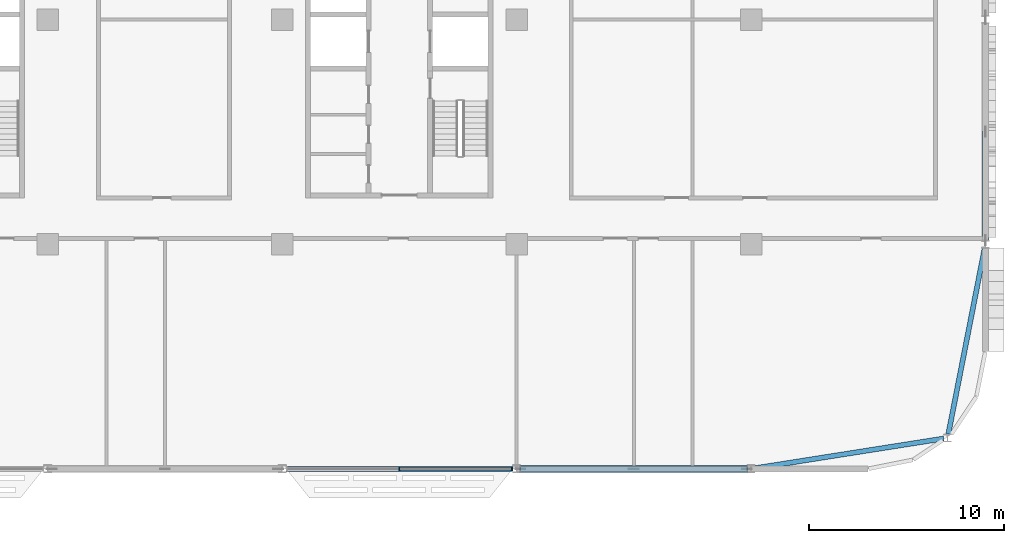
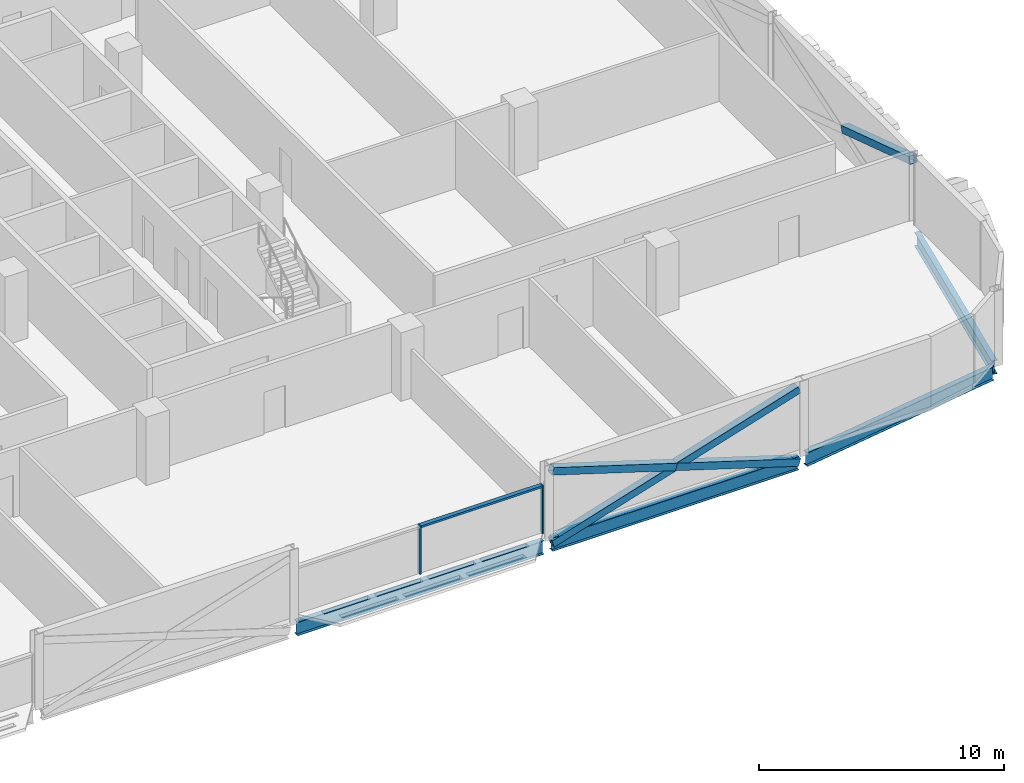
# One storey, part 9 of 30: 7 members, 4 beams, 1 element without a shape of its own.
"""IFC4 building model written with IfcOpenShell, lengths in metres."""

from ifc_helpers import new_model, si_unit, direction, frame, origin, origin_2d, place, context, subcontext, project, spatial, rectangle, hollow_rectangle, i_section, extrude, material, material_profile, profile_set, type_object, element, aggregate, save


model = new_model("IFC4")

# Units and contexts
model_context = context("Model", 3, precision=1e-05, world=origin(), true_north=direction((0.0, 1.0)))
body_context = subcontext(model_context, "Body", "Model", "MODEL_VIEW")
ifc_project = project(units=[si_unit("LENGTHUNIT", "METRE"), si_unit("AREAUNIT", "SQUARE_METRE"), si_unit("VOLUMEUNIT", "CUBIC_METRE"), si_unit("PLANEANGLEUNIT", "RADIAN"), si_unit("MASSUNIT", "GRAM", prefix="KILO")], contexts=[model_context])

# Site, building, storey
site_placement = place(None, origin())
site = spatial("IfcSite", under=ifc_project, at=site_placement, CompositionType="ELEMENT")
building_placement = place(site_placement, origin())
building = spatial("IfcBuilding", under=site, at=building_placement, Name="Mahtab Terrace Research Tower", CompositionType="ELEMENT")
storey_placement = place(building_placement, frame((0.0, 0.0, 220.5)))
storey = spatial("IfcBuildingStorey", under=building, at=storey_placement, Name="L53", CompositionType="ELEMENT", Elevation=220.5)

# Members
ifc_material_1 = material(Name="Steel ASTM A500 Gr C", Category="steel")
ifc_material_profile_1 = material_profile(ifc_material_1, hollow_rectangle(XDim=0.355712890625, YDim=0.355712890625, WallThickness=0.015869140625, at=origin_2d()), Name="HSS14X14X5/8")
ifc_profile_set_1 = profile_set([ifc_material_profile_1], Name="Steel ASTM A500 Gr C")
member_type_1 = type_object("IfcMemberType", Name="HSS 14x14x5/8 brace XB141458", PredefinedType="BRACE", material=ifc_profile_set_1)
member_1_placement = place(storey_placement, frame((30.20068359375, -23.0, -0.616455078125), z_axis=(0.954709972543, 0.0, 0.297538011566), x_axis=(0.0, 1.0, 0.0)))
element("IfcMember", 1, at=member_1_placement, inside=storey, type_object=member_type_1, Name="Exoskeleton brace L53 19 a", PredefinedType="BRACE", context=body_context, shape_type="SweptSolid", body=[
    extrude(hollow_rectangle(XDim=0.355712890625, YDim=0.355712890625, WallThickness=0.015869140625, at=origin_2d()), origin(), (0.0, 0.0, 1.0), 12.14892578125),
])
for number, where, z_axis, x_axis, name in (
    (2, (41.79931640625, -23.0, -0.616455078125), (-0.954709972543, 0.0, 0.297538011566), (0.0, -1.0, 0.0), "Exoskeleton brace L53 19 b1"),
    (3, (36.0, -23.0, 1.19091796875), (-0.954709972543, 0.0, 0.297538011566), (0.0, -1.0, 0.0), "Exoskeleton brace L53 19 b2"),
):
    element("IfcMember", number, at=place(storey_placement, frame(where, z_axis=z_axis, x_axis=x_axis)), inside=storey, type_object=member_type_1, Name=name, PredefinedType="BRACE", context=body_context, shape_type="SweptSolid", body=[
        extrude(hollow_rectangle(XDim=0.355712890625, YDim=0.355712890625, WallThickness=0.015869140625, at=origin_2d()), origin(), (0.0, 0.0, 1.0), 6.074462890625),
    ])
member_2_placement = place(storey_placement, frame((54.0, -5.75, 1.19091796875), z_axis=(0.0, -0.95097103429, 0.309279957226), x_axis=(1.0, 0.0, 0.0)))
element("IfcMember", 4, at=member_2_placement, inside=storey, type_object=member_type_1, Name="Exoskeleton brace L53 22 b2", PredefinedType="BRACE", context=body_context, shape_type="SweptSolid", body=[
    extrude(hollow_rectangle(XDim=0.355712890625, YDim=0.355712890625, WallThickness=0.015869140625, at=origin_2d()), origin(), (0.0, 0.0, 1.0), 5.836669921875),
])

# Curtain wall, members
ifc_material_2 = material(Name="Laboratory ribbon curtain wall")
curtain_wall_type = type_object("IfcCurtainWallType", Name="Laboratory ribbon curtain wall", PredefinedType="NOTDEFINED", material=ifc_material_2)
curtain_wall_placement = place(storey_placement, origin())
curtain_wall = element("IfcCurtainWall", 5, at=curtain_wall_placement, inside=storey, type_object=curtain_wall_type, Name="EN.L53.13.28", PredefinedType="NOTDEFINED")
ifc_material_3 = material(Name="Natural anodised aluminium", Category="aluminium")
ifc_material_profile_2 = material_profile(ifc_material_3, rectangle(XDim=0.199951171875, YDim=0.06494140625, at=origin_2d()), Name="MULLION 65x200")
ifc_profile_set_2 = profile_set([ifc_material_profile_2], Name="Natural anodised aluminium")
member_type_2 = type_object("IfcMemberType", Name="Laboratory ribbon curtain wall mullion", PredefinedType="MULLION", material=ifc_profile_set_2)
member_3_placement = place(storey_placement, frame((24.0, -23.0, 0.0), z_axis=(0.0, 0.0, 1.0), x_axis=(0.0, 1.0, 0.0)))
member_3 = element("IfcMember", 6, at=member_3_placement, type_object=member_type_2, Name="CWL-6 mullion 2", PredefinedType="MULLION", context=body_context, shape_type="SweptSolid", body=[
    extrude(rectangle(XDim=0.199951171875, YDim=0.06494140625, at=origin_2d()), origin(), (0.0, 0.0, 1.0), 2.401123046875),
])
member_4_placement = place(storey_placement, frame((29.767578125, -23.0, 0.0), z_axis=(0.0, 0.0, 1.0), x_axis=(0.0, 1.0, 0.0)))
member_4 = element("IfcMember", 7, at=member_4_placement, type_object=member_type_2, Name="CWL-6 mullion 3", PredefinedType="MULLION", context=body_context, shape_type="SweptSolid", body=[
    extrude(rectangle(XDim=0.199951171875, YDim=0.06494140625, at=origin_2d()), origin(), (0.0, 0.0, 1.0), 2.401123046875),
])
ifc_material_profile_3 = material_profile(ifc_material_3, rectangle(XDim=0.199951171875, YDim=0.10009765625, at=origin_2d()), Name="TRANSOM 100x200")
ifc_profile_set_3 = profile_set([ifc_material_profile_3], Name="Natural anodised aluminium")
member_type_3 = type_object("IfcMemberType", Name="Laboratory ribbon curtain wall transom", PredefinedType="USERDEFINED", material=ifc_profile_set_3)
member_5_placement = place(storey_placement, frame((24.032470703125, -23.0, 2.351318359375), z_axis=(1.0, 0.0, 0.0), x_axis=(0.0, 1.0, 0.0)))
member_5 = element("IfcMember", 8, at=member_5_placement, type_object=member_type_3, Name="CWL-6 transom 2", ObjectType="TRANSOM", PredefinedType="USERDEFINED", context=body_context, shape_type="SweptSolid", body=[
    extrude(rectangle(XDim=0.199951171875, YDim=0.10009765625, at=origin_2d()), origin(), (0.0, 0.0, 1.0), 5.70263671875),
])
aggregate(curtain_wall, [member_3, member_4, member_5])

# Beams
ifc_material_4 = material(Name="Steel ASTM A992 Gr 50", Category="steel")
ifc_material_profile_4 = material_profile(ifc_material_4, i_section(OverallWidth=0.25390625, OverallDepth=0.67822265625, WebThickness=0.01171875, FlangeThickness=0.016357421875, at=origin_2d()), Name="W27X84")
ifc_profile_set_4 = profile_set([ifc_material_profile_4], Name="Steel ASTM A992 Gr 50")
beam_type = type_object("IfcBeamType", Name="W27x84 beam BS2784", PredefinedType="BEAM", material=ifc_profile_set_4)
for number, where, z_axis, x_axis, name in (
    (9, (18.20068359375, -23.0, -0.67919921875), (1.0, 0.0, 0.0), (0.0, 1.0, 0.0), "Spandrel beam L53 18"),
    (10, (30.20068359375, -23.0, -0.67919921875), (1.0, 0.0, 0.0), (0.0, 1.0, 0.0), "Spandrel beam L53 19"),
):
    element("IfcBeam", number, at=place(storey_placement, frame(where, z_axis=z_axis, x_axis=x_axis)), inside=storey, type_object=beam_type, Name=name, PredefinedType="BEAM", context=body_context, shape_type="SweptSolid", body=[
        extrude(i_section(OverallWidth=0.25390625, OverallDepth=0.67822265625, WebThickness=0.01171875, FlangeThickness=0.016357421875, at=origin_2d()), origin(), (0.0, 0.0, 1.0), 11.5986328125),
    ])
beam_1_placement = place(storey_placement, frame((42.20068359375, -22.968505859375, -0.67919921875), z_axis=(0.987831689273, 0.155526697604, 0.0), x_axis=(-0.155526697604, 0.987831689273, 0.0)))
element("IfcBeam", 11, at=beam_1_placement, inside=storey, type_object=beam_type, Name="Spandrel beam L53 20", PredefinedType="BEAM", context=body_context, shape_type="SweptSolid", body=[
    extrude(i_section(OverallWidth=0.25390625, OverallDepth=0.67822265625, WebThickness=0.01171875, FlangeThickness=0.016357421875, at=origin_2d()), origin(), (0.0, 0.0, 1.0), 9.779541015625),
])
beam_2_placement = place(storey_placement, frame((52.10107421875, -21.216552734375, -0.67919921875), z_axis=(0.191795474732, 0.981434916779, 0.0), x_axis=(-0.981434916779, 0.191795474732, 0.0)))
element("IfcBeam", 12, at=beam_2_placement, inside=storey, type_object=beam_type, Name="Spandrel beam L53 21", PredefinedType="BEAM", context=body_context, shape_type="SweptSolid", body=[
    extrude(i_section(OverallWidth=0.25390625, OverallDepth=0.67822265625, WebThickness=0.01171875, FlangeThickness=0.016357421875, at=origin_2d()), origin(), (0.0, 0.0, 1.0), 9.697021484375),
])

save(model, "model.ifc")
